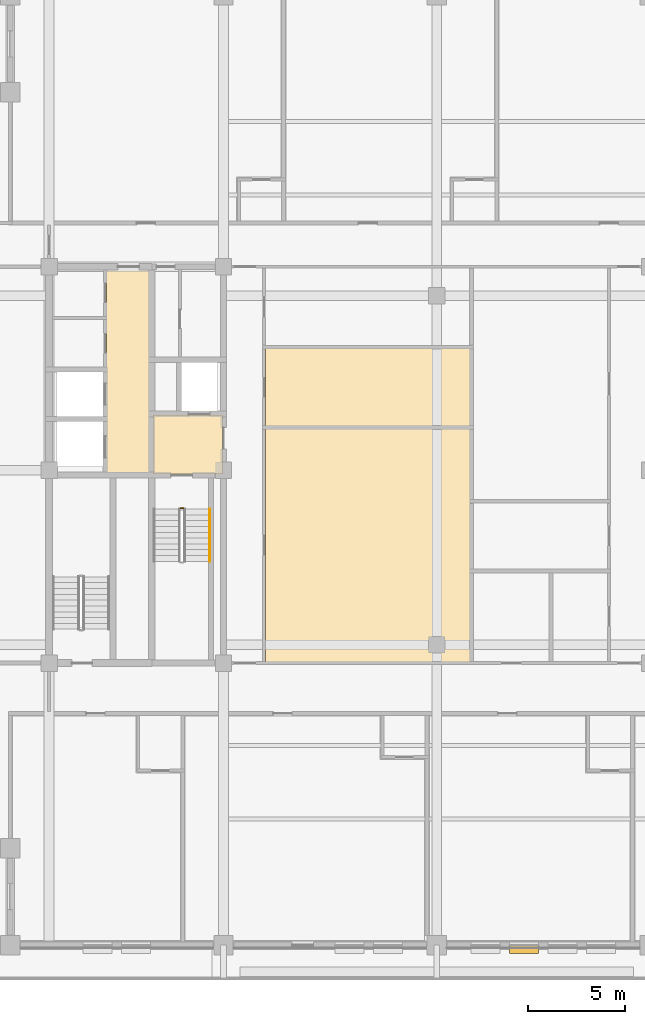
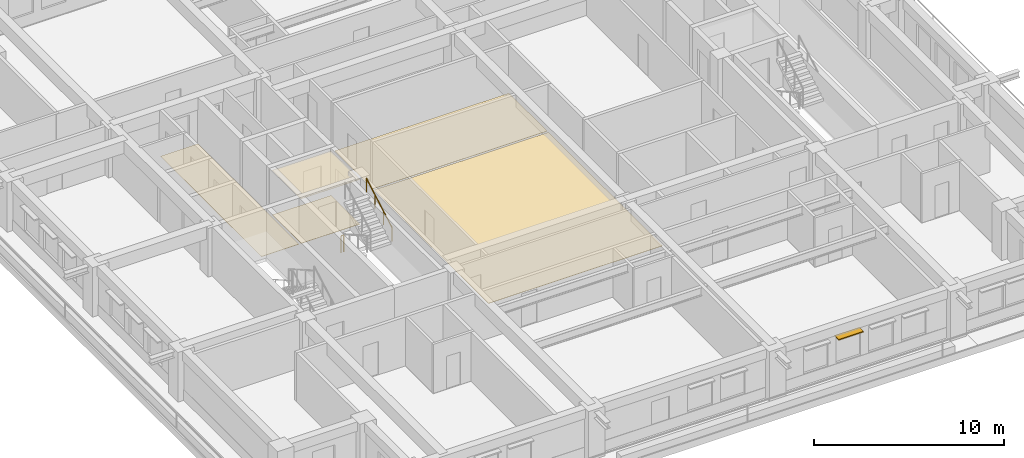
# One storey, part 11 of 14: 5 coverings, 2 railings, 1 shading device.
"""IFC4 building model written with IfcOpenShell, lengths in metres."""

from ifc_helpers import new_model, si_unit, direction, frame, frame_2d, origin, origin_2d, place, context, subcontext, project, spatial, polyline, rectangle, outline, extrude, material, layer, layer_set, type_object, element, save


model = new_model("IFC4")

# Units and contexts
model_context = context("Model", 3, precision=1e-05, world=origin(), true_north=direction((0.0, 1.0)))
body_context = subcontext(model_context, "Body", "Model", "MODEL_VIEW")
ifc_project = project(units=[si_unit("LENGTHUNIT", "METRE"), si_unit("AREAUNIT", "SQUARE_METRE"), si_unit("VOLUMEUNIT", "CUBIC_METRE"), si_unit("PLANEANGLEUNIT", "RADIAN"), si_unit("MASSUNIT", "GRAM", prefix="KILO")], contexts=[model_context])

# Site, building, storey
site_placement = place(None, origin())
site = spatial("IfcSite", under=ifc_project, at=site_placement, CompositionType="ELEMENT")
building_placement = place(site_placement, origin())
building = spatial("IfcBuilding", under=site, at=building_placement, Name="Zulmaris Gate Convention Tower", CompositionType="ELEMENT")
storey_placement = place(building_placement, frame((0.0, 0.0, 198.260009765625)))
storey = spatial("IfcBuildingStorey", under=building, at=storey_placement, Name="L51", CompositionType="ELEMENT", Elevation=198.260009765625)

# Coverings
ifc_material_1 = material(Name="Mineral Fibre Acoustic Ceiling Tile")
ifc_layer_1 = layer(ifc_material_1, 0.02001953125, Name="Mineral Fibre Acoustic Ceiling Tile")
ifc_layer_set_1 = layer_set([ifc_layer_1], Name="Mineral Fibre Acoustic Ceiling Tile")
covering_type_1 = type_object("IfcCoveringType", Name="CLG-ACOUSTIC-600", PredefinedType="CEILING", material=ifc_layer_set_1)
covering_1_placement = place(storey_placement, frame((0.0, 0.0, 2.869873046875)))
element("IfcCovering", 1, at=covering_1_placement, inside=storey, type_object=covering_type_1, Name="CLG-L51-R03", PredefinedType="CEILING", context=body_context, shape_type="SweptSolid", body=[
    extrude(outline(polyline([(-14.639892578125, -0.18994140625), (-11.06005859375, -0.18994140625), (-11.06005859375, 2.840087890625), (-14.639892578125, 2.840087890625), (-14.639892578125, -0.18994140625)])), origin(), (0.0, 0.0, 1.0), 0.02001953125),
])
ifc_material_2 = material(Name="Woven Acoustic Wool Carpet Tile")
ifc_layer_2 = layer(ifc_material_2, 0.02001953125, Name="Woven Acoustic Wool Carpet Tile")
ifc_layer_set_2 = layer_set([ifc_layer_2], Name="Woven Acoustic Wool Carpet Tile")
covering_type_2 = type_object("IfcCoveringType", Name="FLR-CARPET-12", PredefinedType="FLOORING", material=ifc_layer_set_2)
covering_2_placement = place(storey_placement, origin())
element("IfcCovering", 2, at=covering_2_placement, inside=storey, type_object=covering_type_2, Name="FLR-L51-R03", PredefinedType="FLOORING", context=body_context, shape_type="SweptSolid", body=[
    extrude(outline(polyline([(-14.639892578125, -0.18994140625), (-11.06005859375, -0.18994140625), (-11.06005859375, 2.840087890625), (-14.639892578125, 2.840087890625), (-14.639892578125, -0.18994140625)])), origin(), (0.0, 0.0, 1.0), 0.02001953125),
])
covering_3_placement = place(storey_placement, origin())
element("IfcCovering", 3, at=covering_3_placement, inside=storey, type_object=covering_type_2, Name="FLR-L51-R18", PredefinedType="FLOORING", context=body_context, shape_type="SweptSolid", body=[
    extrude(outline(polyline([(-17.0400390625, -0.18994140625), (-14.760009765625, -0.18994140625), (-14.760009765625, 10.43994140625), (-17.0400390625, 10.43994140625), (-17.0400390625, -0.18994140625)])), origin(), (0.0, 0.0, 1.0), 0.02001953125),
])
covering_4_placement = place(storey_placement, origin())
element("IfcCovering", 4, at=covering_4_placement, inside=storey, type_object=covering_type_2, Name="FLR-L51-R48", PredefinedType="FLOORING", context=body_context, shape_type="SweptSolid", body=[
    extrude(outline(polyline([(-8.840087890625, -9.889892578125), (1.739990234375, -9.889892578125), (1.739990234375, 2.139892578125), (-8.840087890625, 2.139892578125), (-8.840087890625, -9.889892578125)])), origin(), (0.0, 0.0, 1.0), 0.02001953125),
])
ifc_material_3 = material(Name="Polished Granite Terrazzo Tile", Category="masonry")
ifc_layer_3 = layer(ifc_material_3, 0.02001953125, Name="Polished Granite Terrazzo Tile")
ifc_layer_set_3 = layer_set([ifc_layer_3], Name="Polished Granite Terrazzo Tile")
covering_type_3 = type_object("IfcCoveringType", Name="FLR-TERRAZZO-30", PredefinedType="FLOORING", material=ifc_layer_set_3)
covering_5_placement = place(storey_placement, origin())
element("IfcCovering", 5, at=covering_5_placement, inside=storey, type_object=covering_type_3, Name="FLR-L51-R47", PredefinedType="FLOORING", context=body_context, shape_type="SweptSolid", body=[
    extrude(outline(polyline([(-8.840087890625, 2.260009765625), (1.739990234375, 2.260009765625), (1.739990234375, 6.2900390625), (-8.840087890625, 6.2900390625), (-8.840087890625, 2.260009765625)])), origin(), (0.0, 0.0, 1.0), 0.02001953125),
])

# Railings
ifc_material_4 = material(Name="Painted Galvanised Steel", Category="steel")
railing_type_1 = type_object("IfcRailingType", Name="RL-STG-1150", PredefinedType="GUARDRAIL", material=ifc_material_4)
railing_1_placement = place(storey_placement, frame((-13.219970703125, -1.949951171875, 0.0)))
element("IfcRailing", 6, at=railing_1_placement, inside=storey, type_object=railing_type_1, Name="L51 ST-1 stair guard 4", PredefinedType="GUARDRAIL", context=body_context, shape_type="SweptSolid", body=[
    extrude(rectangle(XDim=0.048095703125, YDim=0.048095703125, at=origin_2d()), frame((0.0, 0.0, 1.076171875), z_axis=(1.0, 0.0, 0.0), x_axis=(0.0, 1.0, 0.0)), (0.0, 0.0, 1.0), 0.159912109375),
    extrude(rectangle(XDim=0.0419921875, YDim=0.0419921875, at=origin_2d()), origin(), (0.0, 0.0, 1.0), 1.052001953125),
    extrude(rectangle(XDim=0.0419921875, YDim=0.0419921875, at=origin_2d()), frame((0.159912109375, 0.0, 0.0)), (0.0, 0.0, 1.0), 1.052001953125),
])
ifc_material_5 = material(Name="Brushed Stainless Steel", Category="steel")
railing_type_2 = type_object("IfcRailingType", Name="RL-STH-900", PredefinedType="HANDRAIL", material=ifc_material_5)
railing_2_placement = place(storey_placement, frame((-11.7099609375, -4.699951171875, 1.869873046875)))
element("IfcRailing", 7, at=railing_2_placement, inside=storey, type_object=railing_type_2, Name="L51 ST-1 stair handrail 2", PredefinedType="HANDRAIL", context=body_context, shape_type="SweptSolid", body=[
    extrude(rectangle(XDim=0.048095703125, YDim=0.048095703125, at=origin_2d()), frame((0.0, 0.0, 0.8759765625), z_axis=(0.0, 0.870014312096, 0.49302646658), x_axis=(-1.0, 0.0, 0.0)), (0.0, 0.0, 1.0), 3.103271484375),
    extrude(rectangle(XDim=0.0419921875, YDim=0.0419921875, at=origin_2d()), origin(), (0.0, 0.0, 1.0), 0.851806640625),
    extrude(rectangle(XDim=0.0419921875, YDim=0.0419921875, at=origin_2d()), frame((0.0, 0.89990234375, 0.510009765625)), (0.0, 0.0, 1.0), 0.851806640625),
    extrude(rectangle(XDim=0.0419921875, YDim=0.0419921875, at=origin_2d()), frame((0.0, 1.800048828125, 1.02001953125)), (0.0, 0.0, 1.0), 0.851806640625),
    extrude(rectangle(XDim=0.0419921875, YDim=0.0419921875, at=origin_2d()), frame((0.0, 2.699951171875, 1.530029296875)), (0.0, 0.0, 1.0), 0.851806640625),
])

# Shading device
ifc_material_6 = material(Name="Glazed Ceramic Terracotta", Category="masonry")
ifc_layer_4 = layer(ifc_material_6, 0.070068359375, Name="Glazed Ceramic Terracotta")
ifc_layer_set_4 = layer_set([ifc_layer_4], Name="Glazed Ceramic Terracotta")
shading_device_type = type_object("IfcShadingDeviceType", Name="SHD-SUNSHADE-TC", PredefinedType="AWNING", material=ifc_layer_set_4)
shading_device_placement = place(storey_placement, frame((3.756103515625, -24.719970703125, 2.35009765625), z_axis=(0.0, 0.0, 1.0), x_axis=(1.0, 0.0, 0.0)))
element("IfcShadingDevice", 8, at=shading_device_placement, inside=storey, type_object=shading_device_type, Name="SHD-EW-L51-S-2_0-2", PredefinedType="AWNING", context=body_context, shape_type="SweptSolid", body=[
    extrude(rectangle(XDim=1.5, YDim=0.43994140625, at=frame_2d((0.75, 0.0))), origin(), (0.0, 0.0, 1.0), 0.06982421875),
])

save(model, "model.ifc")
